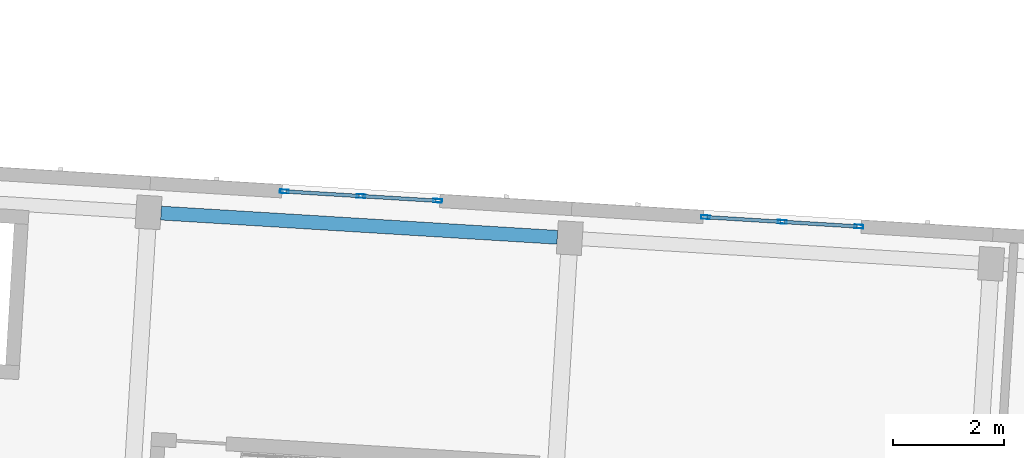
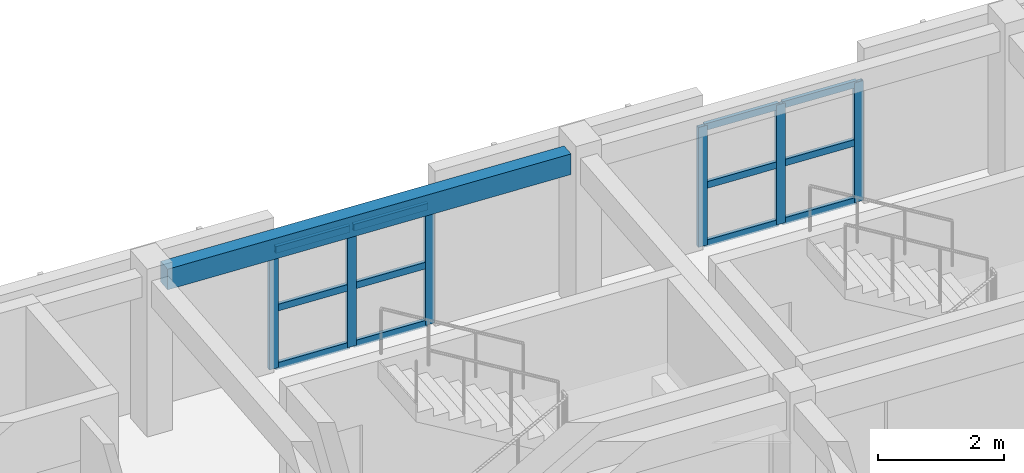
# One storey, part 6 of 65: 18 members, 1 beam, 2 elements without a shape of their own.
"""IFC4 building model written with IfcOpenShell, lengths in metres."""

from ifc_helpers import new_model, si_unit, direction, frame, origin, origin_2d, place, context, subcontext, project, spatial, rectangle, hollow_rectangle, extrude, material, material_profile, profile_set, type_object, element, aggregate, save


model = new_model("IFC4")

# Units and contexts
model_context = context("Model", 3, precision=1e-05, world=origin(), true_north=direction((0.0, 1.0)))
body_context = subcontext(model_context, "Body", "Model", "MODEL_VIEW")
ifc_project = project(units=[si_unit("LENGTHUNIT", "METRE"), si_unit("AREAUNIT", "SQUARE_METRE"), si_unit("VOLUMEUNIT", "CUBIC_METRE"), si_unit("PLANEANGLEUNIT", "RADIAN"), si_unit("MASSUNIT", "GRAM", prefix="KILO")], contexts=[model_context])

# Site, building, storey
site_placement = place(None, origin())
site = spatial("IfcSite", under=ifc_project, at=site_placement, CompositionType="ELEMENT")
building_placement = place(site_placement, origin())
building = spatial("IfcBuilding", under=site, at=building_placement, Name="Kestramere Prow Commons", CompositionType="ELEMENT")
storey_placement = place(building_placement, frame((0.0, 0.0, 21.39990234375)))
storey = spatial("IfcBuildingStorey", under=building, at=storey_placement, Name="L06", CompositionType="ELEMENT", Elevation=21.39990234375)

# Curtain wall, members
ifc_material_1 = material(Name="Anodised Aluminium and Low-E Glass", Category="aluminium")
curtain_wall_type = type_object("IfcCurtainWallType", Name="CW-03 Glazed Curtain Wall 2830x2320", PredefinedType="USERDEFINED", material=ifc_material_1)
curtain_wall_1_placement = place(storey_placement, origin())
curtain_wall_1 = element("IfcCurtainWall", 1, at=curtain_wall_1_placement, inside=storey, type_object=curtain_wall_type, Name="Block C L06 Stairwell Vertical Glazing 2", ObjectType="GLAZED CURTAIN WALL", PredefinedType="USERDEFINED")
ifc_material_2 = material(Name="Anodised Aluminium 6063-T6", Category="aluminium")
ifc_material_profile_1 = material_profile(ifc_material_2, hollow_rectangle(XDim=0.06494140625, YDim=0.159912109375, WallThickness=0.00390625, at=origin_2d()), Name="ALU-MUL 65x160")
ifc_profile_set_1 = profile_set([ifc_material_profile_1], Name="Anodised Aluminium 6063-T6")
member_type_1 = type_object("IfcMemberType", Name="CW-MUL-65x160", PredefinedType="MULLION", material=ifc_profile_set_1)
member_1_placement = place(storey_placement, frame((70.7275390625, 65.975830078125, 0.0), z_axis=(0.0, 0.0, 1.0), x_axis=(0.061048420708, 0.99813480569, 0.0)))
member_1 = element("IfcMember", 2, at=member_1_placement, type_object=member_type_1, Name="CW-03 mullion 1", PredefinedType="MULLION", context=body_context, shape_type="SweptSolid", body=[
    extrude(hollow_rectangle(XDim=0.06494140625, YDim=0.159912109375, WallThickness=0.00390625, at=origin_2d()), origin(), (0.0, 0.0, 1.0), 2.320068359375),
])
member_2_placement = place(storey_placement, frame((72.107421875, 65.8916015625, 0.0), z_axis=(0.0, 0.0, 1.0), x_axis=(0.061048420708, 0.99813480569, 0.0)))
member_2 = element("IfcMember", 3, at=member_2_placement, type_object=member_type_1, Name="CW-03 mullion 2", PredefinedType="MULLION", context=body_context, shape_type="SweptSolid", body=[
    extrude(hollow_rectangle(XDim=0.06494140625, YDim=0.159912109375, WallThickness=0.00390625, at=origin_2d()), origin(), (0.0, 0.0, 1.0), 2.320068359375),
])
member_3_placement = place(storey_placement, frame((73.4873046875, 65.80712890625, 0.0), z_axis=(0.0, 0.0, 1.0), x_axis=(0.061048420708, 0.99813480569, 0.0)))
member_3 = element("IfcMember", 4, at=member_3_placement, type_object=member_type_1, Name="CW-03 mullion 3", PredefinedType="MULLION", context=body_context, shape_type="SweptSolid", body=[
    extrude(hollow_rectangle(XDim=0.06494140625, YDim=0.159912109375, WallThickness=0.00390625, at=origin_2d()), origin(), (0.0, 0.0, 1.0), 2.320068359375),
])

curtain_wall_2_placement = place(storey_placement, origin())
curtain_wall_2 = element("IfcCurtainWall", 5, at=curtain_wall_2_placement, inside=storey, type_object=curtain_wall_type, Name="Block C L06 Stairwell Vertical Glazing 3", ObjectType="GLAZED CURTAIN WALL", PredefinedType="USERDEFINED")
member_4_placement = place(storey_placement, frame((78.313232421875, 65.511962890625, 0.0), z_axis=(0.0, 0.0, 1.0), x_axis=(0.061048399176, 0.998134807007, 0.0)))
member_4 = element("IfcMember", 6, at=member_4_placement, type_object=member_type_1, Name="CW-03 mullion 1", PredefinedType="MULLION", context=body_context, shape_type="SweptSolid", body=[
    extrude(hollow_rectangle(XDim=0.06494140625, YDim=0.159912109375, WallThickness=0.00390625, at=origin_2d()), origin(), (0.0, 0.0, 1.0), 2.320068359375),
])
member_5_placement = place(storey_placement, frame((79.693115234375, 65.427490234375, 0.0), z_axis=(0.0, 0.0, 1.0), x_axis=(0.061048399176, 0.998134807007, 0.0)))
member_5 = element("IfcMember", 7, at=member_5_placement, type_object=member_type_1, Name="CW-03 mullion 2", PredefinedType="MULLION", context=body_context, shape_type="SweptSolid", body=[
    extrude(hollow_rectangle(XDim=0.06494140625, YDim=0.159912109375, WallThickness=0.00390625, at=origin_2d()), origin(), (0.0, 0.0, 1.0), 2.320068359375),
])
member_6_placement = place(storey_placement, frame((81.072998046875, 65.34326171875, 0.0), z_axis=(0.0, 0.0, 1.0), x_axis=(0.061048399176, 0.998134807007, 0.0)))
member_6 = element("IfcMember", 8, at=member_6_placement, type_object=member_type_1, Name="CW-03 mullion 3", PredefinedType="MULLION", context=body_context, shape_type="SweptSolid", body=[
    extrude(hollow_rectangle(XDim=0.06494140625, YDim=0.159912109375, WallThickness=0.00390625, at=origin_2d()), origin(), (0.0, 0.0, 1.0), 2.320068359375),
])

# Member
ifc_material_profile_2 = material_profile(ifc_material_2, hollow_rectangle(XDim=0.06494140625, YDim=0.1298828125, WallThickness=0.00390625, at=origin_2d()), Name="ALU-TRN 65x130")
ifc_profile_set_2 = profile_set([ifc_material_profile_2], Name="Anodised Aluminium 6063-T6")
member_type_2 = type_object("IfcMemberType", Name="CW-TRN-65x130", PredefinedType="USERDEFINED", material=ifc_profile_set_2)
member_7_placement = place(storey_placement, frame((70.759765625, 65.973876953125, 0.03271484375), z_axis=(0.998140248091, -0.060959372865, 0.0), x_axis=(0.060959372865, 0.998140248091, 0.0)))
member_7 = element("IfcMember", 9, at=member_7_placement, type_object=member_type_2, Name="CW-03 transom 1.1", ObjectType="TRANSOM", PredefinedType="USERDEFINED", context=body_context, shape_type="SweptSolid", body=[
    extrude(hollow_rectangle(XDim=0.06494140625, YDim=0.1298828125, WallThickness=0.00390625, at=origin_2d()), origin(), (0.0, 0.0, 1.0), 1.317626953125),
])

member_8_placement = place(storey_placement, frame((70.759765625, 65.973876953125, 1.16015625), z_axis=(0.998140248091, -0.060959372865, 0.0), x_axis=(0.060959372865, 0.998140248091, 0.0)))
member_8 = element("IfcMember", 10, at=member_8_placement, type_object=member_type_2, Name="CW-03 transom 1.2", ObjectType="TRANSOM", PredefinedType="USERDEFINED", context=body_context, shape_type="SweptSolid", body=[
    extrude(hollow_rectangle(XDim=0.06494140625, YDim=0.1298828125, WallThickness=0.00390625, at=origin_2d()), origin(), (0.0, 0.0, 1.0), 1.317626953125),
])

member_9_placement = place(storey_placement, frame((70.759765625, 65.973876953125, 2.28759765625), z_axis=(0.998140248091, -0.060959372865, 0.0), x_axis=(0.060959372865, 0.998140248091, 0.0)))
member_9 = element("IfcMember", 11, at=member_9_placement, type_object=member_type_2, Name="CW-03 transom 1.3", ObjectType="TRANSOM", PredefinedType="USERDEFINED", context=body_context, shape_type="SweptSolid", body=[
    extrude(hollow_rectangle(XDim=0.06494140625, YDim=0.1298828125, WallThickness=0.00390625, at=origin_2d()), origin(), (0.0, 0.0, 1.0), 1.317626953125),
])

member_10_placement = place(storey_placement, frame((72.139892578125, 65.889404296875, 0.03271484375), z_axis=(0.998139559366, -0.06097064891, 0.0), x_axis=(0.06097064891, 0.998139559366, 0.0)))
member_10 = element("IfcMember", 12, at=member_10_placement, type_object=member_type_2, Name="CW-03 transom 2.1", ObjectType="TRANSOM", PredefinedType="USERDEFINED", context=body_context, shape_type="SweptSolid", body=[
    extrude(hollow_rectangle(XDim=0.06494140625, YDim=0.1298828125, WallThickness=0.00390625, at=origin_2d()), origin(), (0.0, 0.0, 1.0), 1.3173828125),
])

member_11_placement = place(storey_placement, frame((72.139892578125, 65.889404296875, 1.16015625), z_axis=(0.998139559366, -0.06097064891, 0.0), x_axis=(0.06097064891, 0.998139559366, 0.0)))
member_11 = element("IfcMember", 13, at=member_11_placement, type_object=member_type_2, Name="CW-03 transom 2.2", ObjectType="TRANSOM", PredefinedType="USERDEFINED", context=body_context, shape_type="SweptSolid", body=[
    extrude(hollow_rectangle(XDim=0.06494140625, YDim=0.1298828125, WallThickness=0.00390625, at=origin_2d()), origin(), (0.0, 0.0, 1.0), 1.3173828125),
])

member_12_placement = place(storey_placement, frame((72.139892578125, 65.889404296875, 2.28759765625), z_axis=(0.998139559366, -0.06097064891, 0.0), x_axis=(0.06097064891, 0.998139559366, 0.0)))
member_12 = element("IfcMember", 14, at=member_12_placement, type_object=member_type_2, Name="CW-03 transom 2.3", ObjectType="TRANSOM", PredefinedType="USERDEFINED", context=body_context, shape_type="SweptSolid", body=[
    extrude(hollow_rectangle(XDim=0.06494140625, YDim=0.1298828125, WallThickness=0.00390625, at=origin_2d()), origin(), (0.0, 0.0, 1.0), 1.3173828125),
])

aggregate(curtain_wall_1, [member_1, member_2, member_3, member_7, member_8, member_9, member_10, member_11, member_12])

member_13_placement = place(storey_placement, frame((78.345703125, 65.510009765625, 0.03271484375), z_axis=(0.99812826429, -0.061155277983, 0.0), x_axis=(0.061155277983, 0.99812826429, 0.0)))
member_13 = element("IfcMember", 15, at=member_13_placement, type_object=member_type_2, Name="CW-03 transom 1.1", ObjectType="TRANSOM", PredefinedType="USERDEFINED", context=body_context, shape_type="SweptSolid", body=[
    extrude(hollow_rectangle(XDim=0.06494140625, YDim=0.1298828125, WallThickness=0.00390625, at=origin_2d()), origin(), (0.0, 0.0, 1.0), 1.3173828125),
])

member_14_placement = place(storey_placement, frame((78.345703125, 65.510009765625, 1.16015625), z_axis=(0.99812826429, -0.061155277983, 0.0), x_axis=(0.061155277983, 0.99812826429, 0.0)))
member_14 = element("IfcMember", 16, at=member_14_placement, type_object=member_type_2, Name="CW-03 transom 1.2", ObjectType="TRANSOM", PredefinedType="USERDEFINED", context=body_context, shape_type="SweptSolid", body=[
    extrude(hollow_rectangle(XDim=0.06494140625, YDim=0.1298828125, WallThickness=0.00390625, at=origin_2d()), origin(), (0.0, 0.0, 1.0), 1.3173828125),
])

member_15_placement = place(storey_placement, frame((78.345703125, 65.510009765625, 2.28759765625), z_axis=(0.99812826429, -0.061155277983, 0.0), x_axis=(0.061155277983, 0.99812826429, 0.0)))
member_15 = element("IfcMember", 17, at=member_15_placement, type_object=member_type_2, Name="CW-03 transom 1.3", ObjectType="TRANSOM", PredefinedType="USERDEFINED", context=body_context, shape_type="SweptSolid", body=[
    extrude(hollow_rectangle(XDim=0.06494140625, YDim=0.1298828125, WallThickness=0.00390625, at=origin_2d()), origin(), (0.0, 0.0, 1.0), 1.3173828125),
])

member_16_placement = place(storey_placement, frame((79.7255859375, 65.425537109375, 0.03271484375), z_axis=(0.998139559366, -0.06097064891, 0.0), x_axis=(0.06097064891, 0.998139559366, 0.0)))
member_16 = element("IfcMember", 18, at=member_16_placement, type_object=member_type_2, Name="CW-03 transom 2.1", ObjectType="TRANSOM", PredefinedType="USERDEFINED", context=body_context, shape_type="SweptSolid", body=[
    extrude(hollow_rectangle(XDim=0.06494140625, YDim=0.1298828125, WallThickness=0.00390625, at=origin_2d()), origin(), (0.0, 0.0, 1.0), 1.3173828125),
])

member_17_placement = place(storey_placement, frame((79.7255859375, 65.425537109375, 1.16015625), z_axis=(0.998139559366, -0.06097064891, 0.0), x_axis=(0.06097064891, 0.998139559366, 0.0)))
member_17 = element("IfcMember", 19, at=member_17_placement, type_object=member_type_2, Name="CW-03 transom 2.2", ObjectType="TRANSOM", PredefinedType="USERDEFINED", context=body_context, shape_type="SweptSolid", body=[
    extrude(hollow_rectangle(XDim=0.06494140625, YDim=0.1298828125, WallThickness=0.00390625, at=origin_2d()), origin(), (0.0, 0.0, 1.0), 1.3173828125),
])

member_18_placement = place(storey_placement, frame((79.7255859375, 65.425537109375, 2.28759765625), z_axis=(0.998139559366, -0.06097064891, 0.0), x_axis=(0.06097064891, 0.998139559366, 0.0)))
member_18 = element("IfcMember", 20, at=member_18_placement, type_object=member_type_2, Name="CW-03 transom 2.3", ObjectType="TRANSOM", PredefinedType="USERDEFINED", context=body_context, shape_type="SweptSolid", body=[
    extrude(hollow_rectangle(XDim=0.06494140625, YDim=0.1298828125, WallThickness=0.00390625, at=origin_2d()), origin(), (0.0, 0.0, 1.0), 1.3173828125),
])

aggregate(curtain_wall_2, [member_4, member_5, member_6, member_13, member_14, member_15, member_16, member_17, member_18])

# Beam
ifc_material_3 = material(Name="Precast concrete C40/50", Category="concrete")
ifc_material_profile_3 = material_profile(ifc_material_3, rectangle(XDim=0.25, YDim=0.39990234375, at=origin_2d()), Name="PC-SP 250x400")
ifc_profile_set_3 = profile_set([ifc_material_profile_3], Name="Precast concrete C40/50")
beam_type = type_object("IfcBeamType", Name="SP-EXT-01 PC-SP 250x400", PredefinedType="SPANDREL", material=ifc_profile_set_3)
beam_placement = place(storey_placement, frame((68.5068359375, 65.585693359375, 2.800048828125), z_axis=(0.998134602239, -0.061051747017, 0.0), x_axis=(0.061051747017, 0.998134602239, 0.0)))
element("IfcBeam", 21, at=beam_placement, inside=storey, type_object=beam_type, Name="Block C L06 Longitudinal Beam 4-2", PredefinedType="SPANDREL", context=body_context, shape_type="SweptSolid", body=[
    extrude(rectangle(XDim=0.25, YDim=0.39990234375, at=origin_2d()), origin(), (0.0, 0.0, 1.0), 7.150146484375),
])

save(model, "model.ifc")
